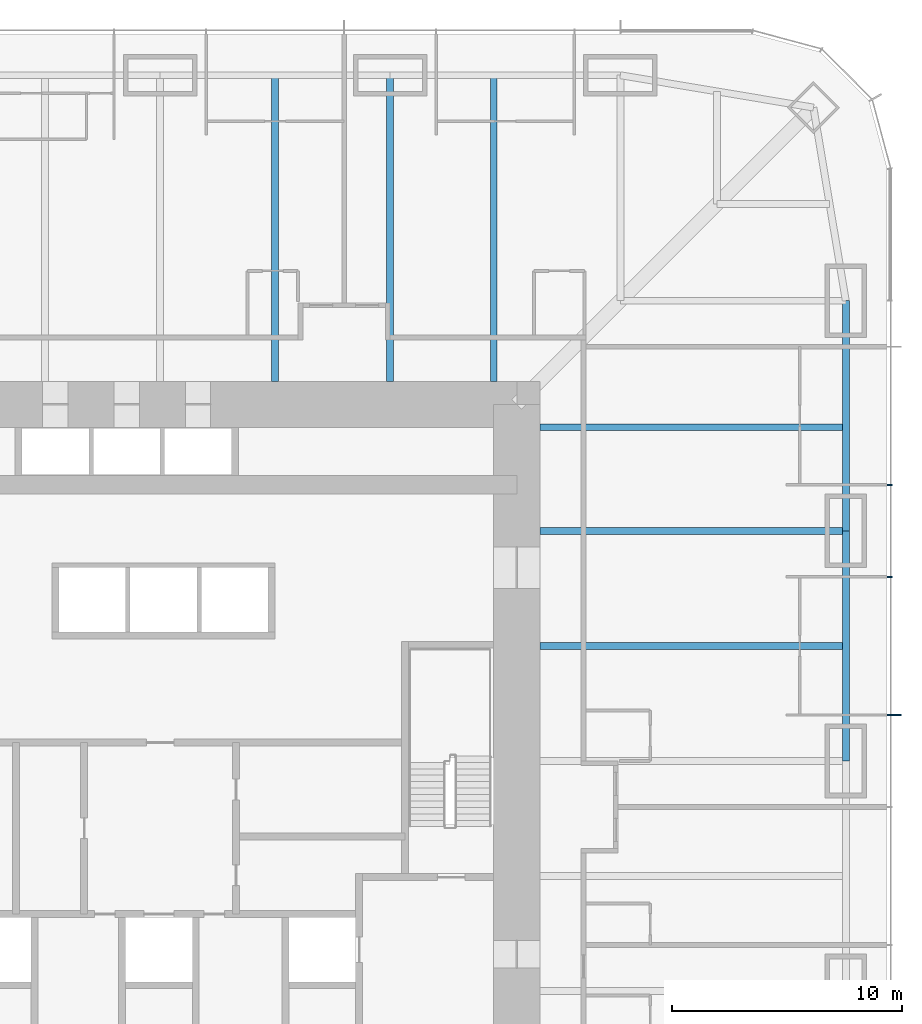
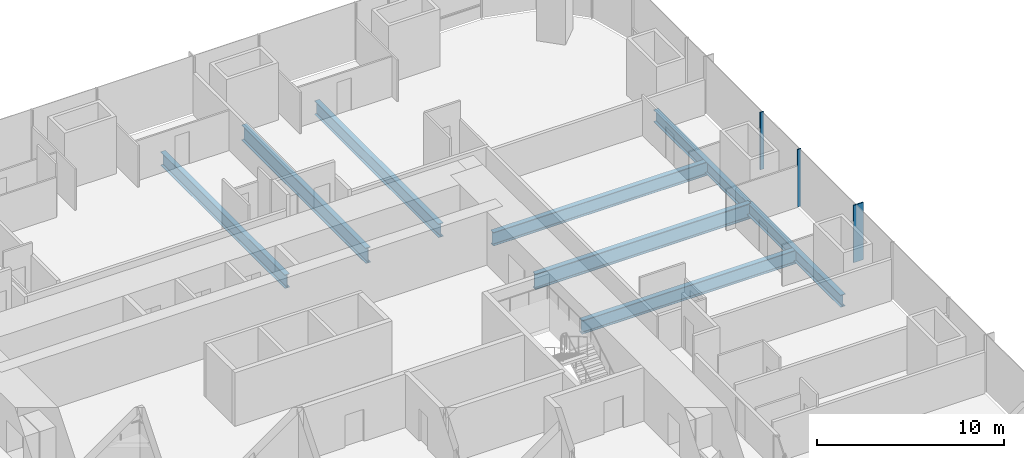
# One storey, part 8 of 17: 8 beams, 3 members, 1 element without a shape of its own.
"""IFC4 building model written with IfcOpenShell, lengths in metres."""

import ifcopenshell
import ifcopenshell.guid

model = None  # the IFC model being written
_history = None  # IfcOwnerHistory: only IFC2X3 demands one
_inside = {}  # id of a spatial element -> (the spatial element, [elements in it])
_under = {}  # id of a project, library or spatial element -> (it, [spatial elements below it])
_declared = {}  # id of a project -> (the project, [libraries it declares])
_typed = {}  # id of a type object -> (the type object, [elements of that type])
_made_of = {}  # id of a material, layer set ... -> (it, [elements and type objects made of it])


def new_model(schema):
    """Start an empty IFC model of exactly this schema.

    Asked for "IFC4X3", IfcOpenShell would pick the latest addendum, in which some entities
    have other attributes; the version numbers below select the first issue.
    IFC2X3 requires an IfcOwnerHistory on every rooted entity: one is made here for all.
    """
    global model, _history
    if schema == "IFC4X3":
        model = ifcopenshell.file(schema_version=(4, 3, 0, 0))
    else:
        model = ifcopenshell.file(schema=schema)
    _inside.clear()
    _under.clear()
    _declared.clear()
    _typed.clear()
    _made_of.clear()
    _history = None
    if model.schema == "IFC2X3":
        org = make("IfcOrganization", Name="unknown")
        user = make(
            "IfcPersonAndOrganization",
            ThePerson=make("IfcPerson", FamilyName="unknown"),
            TheOrganization=org,
        )
        app = make(
            "IfcApplication",
            ApplicationDeveloper=org,
            Version="unknown",
            ApplicationFullName="unknown",
            ApplicationIdentifier="unknown",
        )
        _history = make(
            "IfcOwnerHistory",
            OwningUser=user,
            OwningApplication=app,
            ChangeAction="ADDED",
            CreationDate=0,
        )
    return model


def make(cls, **values):
    """One entity of the class cls with the attributes given. An attribute that is None is left unset."""
    return model.create_entity(
        cls, **{name: value for name, value in values.items() if value is not None}
    )


def rooted(cls, **values):
    """An entity with a GlobalId (a new one), such as an element, a storey or a relation."""
    return make(cls, GlobalId=ifcopenshell.guid.new(), OwnerHistory=_history, **values)


def si_unit(unit_type, name, prefix=None):
    """IfcSIUnit, for example si_unit("LENGTHUNIT", "METRE", prefix="MILLI")."""
    return make("IfcSIUnit", UnitType=unit_type, Prefix=prefix, Name=name)


def assignment(units):
    """IfcUnitAssignment: the units of a project."""
    return None if units is None else make("IfcUnitAssignment", Units=units)


def point(xyz):
    """IfcCartesianPoint."""
    return None if xyz is None else make("IfcCartesianPoint", Coordinates=xyz)


def direction(xyz):
    """IfcDirection."""
    return None if xyz is None else make("IfcDirection", DirectionRatios=xyz)


def frame(location, z_axis=None, x_axis=None):
    """IfcAxis2Placement3D, a coordinate frame: its origin and axes. An axis left out is left unset."""
    return make(
        "IfcAxis2Placement3D",
        Location=point(location),
        Axis=direction(z_axis),
        RefDirection=direction(x_axis),
    )


def frame_2d(location, x_axis=None):
    """IfcAxis2Placement2D, a coordinate frame in the plane: its origin and x axis."""
    return make(
        "IfcAxis2Placement2D", Location=point(location), RefDirection=direction(x_axis)
    )


def origin():
    """The frame at (0, 0, 0) with its axes left unset."""
    return frame((0.0, 0.0, 0.0))


def origin_2d():
    """The frame at (0, 0) in the plane with its x axis left unset."""
    return frame_2d((0.0, 0.0))


def place(relative_to, where):
    """IfcLocalPlacement: puts the frame where relative to a parent placement (None: the world)."""
    return make(
        "IfcLocalPlacement", PlacementRelTo=relative_to, RelativePlacement=where
    )


def context(
    kind, dimensions, precision=None, world=None, true_north=None, identifier=None
):
    """IfcGeometricRepresentationContext, for example the 3D "Model" context."""
    return make(
        "IfcGeometricRepresentationContext",
        ContextIdentifier=identifier,
        ContextType=kind,
        CoordinateSpaceDimension=dimensions,
        Precision=precision,
        WorldCoordinateSystem=world,
        TrueNorth=true_north,
    )


def subcontext(parent, identifier, kind, view, scale=None):
    """IfcGeometricRepresentationSubContext, for example "Body" below "Model"."""
    return make(
        "IfcGeometricRepresentationSubContext",
        ContextIdentifier=identifier,
        ContextType=kind,
        ParentContext=parent,
        TargetScale=scale,
        TargetView=view,
    )


def project(units=None, contexts=None):
    """IfcProject with its units and contexts."""
    return rooted(
        "IfcProject",
        Name="project",
        RepresentationContexts=contexts,
        UnitsInContext=assignment(units),
    )


def spatial(cls, under=None, at=None, **own):
    """A site, building, storey or space (cls), placed at a placement, below another one or the project."""
    s = rooted(cls, ObjectPlacement=at, **own)
    if under is not None:
        _under.setdefault(under.id(), (under, []))[1].append(s)
    return s


def profile(cls, at=None, kind="AREA", **sizes):
    """A parametric profile (cls). Its sizes go by their IFC names, for example OverallWidth=200.0."""
    return make(cls, ProfileType=kind, Position=at, **sizes)


def rectangle(**sizes):
    """IfcRectangleProfileDef."""
    return profile("IfcRectangleProfileDef", **sizes)


def i_section(**sizes):
    """IfcIShapeProfileDef."""
    return profile("IfcIShapeProfileDef", **sizes)


def extrude(swept, where, along, depth):
    """IfcExtrudedAreaSolid: the profile swept, set in the frame where, extruded along a direction by depth."""
    return make(
        "IfcExtrudedAreaSolid",
        SweptArea=swept,
        Position=where,
        ExtrudedDirection=direction(along),
        Depth=depth,
    )


def shape(context_of_items, identifier, shape_type, items):
    """IfcShapeRepresentation: the items that make up one representation, for example the "Body"."""
    return make(
        "IfcShapeRepresentation",
        ContextOfItems=context_of_items,
        RepresentationIdentifier=identifier,
        RepresentationType=shape_type,
        Items=items,
    )


def material(Name=None, Category=None):
    """IfcMaterial."""
    return make("IfcMaterial", Name=Name, Category=Category)


def material_profile(
    of_material, cross_section, Name=None, Category=None, Priority=None
):
    """IfcMaterialProfile: a cross section and its material."""
    return make(
        "IfcMaterialProfile",
        Name=Name,
        Material=of_material,
        Profile=cross_section,
        Priority=Priority,
        Category=Category,
    )


def profile_set(profiles, Name=None, composite=None):
    """IfcMaterialProfileSet."""
    return make(
        "IfcMaterialProfileSet",
        Name=Name,
        MaterialProfiles=profiles,
        CompositeProfile=composite,
    )


def made_of(thing, what):
    """Note that an element or type object is made of a material, layer set ...; save() writes the relation."""
    if what is not None:
        _made_of.setdefault(what.id(), (what, []))[1].append(thing)
    return thing


def type_object(cls, material=None, **own):
    """A type object (cls), such as IfcWallType, which elements share."""
    return made_of(rooted(cls, **own), material)


def element(
    cls,
    number,
    at=None,
    inside=None,
    cuts=None,
    type_object=None,
    material=None,
    context=None,
    identifier="Body",
    shape_type=None,
    held_by="IfcProductDefinitionShape",
    body=None,
    shapes=None,
    **own,
):
    """One element of the class cls, such as IfcWall. Its Tag is "e" and its number.

    at: its placement. inside: the storey or other place that contains it. cuts: it is an
    opening in that element (IfcRelVoidsElement). A single representation is given by context,
    identifier, shape_type and body (its items); several are given by shapes. held_by: the class
    of the entity that holds the representations. save() writes the other relations.
    """
    e = rooted(cls, Tag="e%d" % number, ObjectPlacement=at, **own)
    if body is not None:
        shapes = [shape(context, identifier, shape_type, body)]
    if shapes is not None:
        e.Representation = make(held_by, Representations=shapes)
    if inside is not None:
        _inside.setdefault(inside.id(), (inside, []))[1].append(e)
    if cuts is not None:
        rooted(
            "IfcRelVoidsElement", RelatingBuildingElement=cuts, RelatedOpeningElement=e
        )
    if type_object is not None:
        _typed.setdefault(type_object.id(), (type_object, []))[1].append(e)
    return made_of(e, material)


def aggregate(whole, parts):
    """IfcRelAggregates: a whole, such as a stair, and the parts it consists of."""
    return rooted("IfcRelAggregates", RelatingObject=whole, RelatedObjects=parts)


def save(model, path):
    """Write the relations noted so far, then the file.

    IfcRelAggregates (storeys below a building ...), IfcRelContainedInSpatialStructure (elements
    in a storey), IfcRelDefinesByType, IfcRelAssociatesMaterial and IfcRelDeclares: one each for
    every whole, place, type object, material and project.
    """
    for whole, parts in _under.values():
        aggregate(whole, parts)
    for where, things in _inside.values():
        rooted(
            "IfcRelContainedInSpatialStructure",
            RelatedElements=things,
            RelatingStructure=where,
        )
    for kind, things in _typed.values():
        rooted("IfcRelDefinesByType", RelatedObjects=things, RelatingType=kind)
    for what, things in _made_of.values():
        rooted("IfcRelAssociatesMaterial", RelatedObjects=things, RelatingMaterial=what)
    for by, libraries in _declared.values():
        rooted("IfcRelDeclares", RelatingContext=by, RelatedDefinitions=libraries)
    model.write(path)


model = new_model("IFC4")

# Units and contexts
model_context = context("Model", 3, precision=1e-05, world=origin(), true_north=direction((0.0, 1.0)))
body_context = subcontext(model_context, "Body", "Model", "MODEL_VIEW")
ifc_project = project(units=[si_unit("LENGTHUNIT", "METRE"), si_unit("AREAUNIT", "SQUARE_METRE"), si_unit("VOLUMEUNIT", "CUBIC_METRE"), si_unit("PLANEANGLEUNIT", "RADIAN"), si_unit("MASSUNIT", "GRAM", prefix="KILO")], contexts=[model_context])

# Site, building, storey
site_placement = place(None, origin())
site = spatial("IfcSite", under=ifc_project, at=site_placement, CompositionType="ELEMENT")
building_placement = place(site_placement, origin())
building = spatial("IfcBuilding", under=site, at=building_placement, Name="Khuree Lantern Residences", CompositionType="ELEMENT")
storey_placement = place(building_placement, frame((0.0, 0.0, 39.75)))
storey = spatial("IfcBuildingStorey", under=building, at=storey_placement, Name="L09", CompositionType="ELEMENT", Elevation=39.75)

# Beams
ifc_material_1 = material(Name="Steel S355", Category="steel")
ifc_material_profile_1 = material_profile(ifc_material_1, i_section(OverallWidth=0.300048828125, OverallDepth=0.889892578125, WebThickness=0.01611328125, FlangeThickness=0.030029296875, FilletRadius=0.030029296875, at=origin_2d()), Name="HE 900 A")
ifc_profile_set_1 = profile_set([ifc_material_profile_1], Name="Steel S355")
beam_type_1 = type_object("IfcBeamType", Name="B-12 SECONDARY BEAM HE 900 A", PredefinedType="BEAM", material=ifc_profile_set_1)
for number, where, z_axis, x_axis, name in (
    (1, (5.0, 29.800048828125, -0.695068359375), (0.0, -1.0, 0.0), (1.0, 0.0, 0.0), "Secondary beam N3"),
    (2, (14.5, 29.800048828125, -0.695068359375), (0.0, -1.0, 0.0), (1.0, 0.0, 0.0), "Secondary beam N4"),
    (3, (29.800048828125, 14.5, -0.695068359375), (-1.0, 0.0, 0.0), (0.0, -1.0, 0.0), "Secondary beam E2"),
    (4, (29.800048828125, 5.0, -0.695068359375), (-1.0, 0.0, 0.0), (0.0, -1.0, 0.0), "Secondary beam E3"),
):
    element("IfcBeam", number, at=place(storey_placement, frame(where, z_axis=z_axis, x_axis=x_axis)), inside=storey, type_object=beam_type_1, Name=name, PredefinedType="BEAM", context=body_context, shape_type="SweptSolid", body=[
        extrude(i_section(OverallWidth=0.300048828125, OverallDepth=0.889892578125, WebThickness=0.01611328125, FlangeThickness=0.030029296875, FilletRadius=0.030029296875, at=origin_2d()), origin(), (0.0, 0.0, 1.0), 13.300048828125),
    ])
ifc_material_profile_2 = material_profile(ifc_material_1, i_section(OverallWidth=0.300048828125, OverallDepth=0.7900390625, WebThickness=0.014892578125, FlangeThickness=0.028076171875, FilletRadius=0.030029296875, at=origin_2d()), Name="HE 800 A")
ifc_profile_set_2 = profile_set([ifc_material_profile_2], Name="Steel S355")
beam_type_2 = type_object("IfcBeamType", Name="E-12 SPANDREL BEAM HE 800 A", PredefinedType="SPANDREL", material=ifc_profile_set_2)
for number, where, z_axis, x_axis, name in (
    (5, (29.800048828125, 20.0, -0.64501953125), (0.0, -1.0, 0.0), (1.0, 0.0, 0.0), "Spandrel beam E2"),
    (6, (29.800048828125, 10.0, -0.64501953125), (0.0, -1.0, 0.0), (1.0, 0.0, 0.0), "Spandrel beam E3"),
):
    element("IfcBeam", number, at=place(storey_placement, frame(where, z_axis=z_axis, x_axis=x_axis)), inside=storey, type_object=beam_type_2, Name=name, PredefinedType="SPANDREL", context=body_context, shape_type="SweptSolid", body=[
        extrude(i_section(OverallWidth=0.300048828125, OverallDepth=0.7900390625, WebThickness=0.014892578125, FlangeThickness=0.028076171875, FilletRadius=0.030029296875, at=origin_2d()), origin(), (0.0, 0.0, 1.0), 10.0),
    ])

# Curtain wall, member
ifc_material_2 = material(Name="Bronze anodised aluminium", Category="aluminium")
curtain_wall_type = type_object("IfcCurtainWallType", Name="CW-T1 TOWER FACE CURTAIN WALL", PredefinedType="USERDEFINED", material=ifc_material_2)
curtain_wall_placement = place(storey_placement, origin())
curtain_wall = element("IfcCurtainWall", 7, at=curtain_wall_placement, inside=storey, type_object=curtain_wall_type, Name="L09 EAST FACE CURTAIN WALL", ObjectType="Stick-built curtain wall", PredefinedType="USERDEFINED")
ifc_material_profile_3 = material_profile(ifc_material_2, rectangle(XDim=0.06494140625, YDim=0.60009765625, at=origin_2d()), Name="F1 65X600")
ifc_profile_set_3 = profile_set([ifc_material_profile_3], Name="Bronze anodised aluminium")
member_type_1 = type_object("IfcMemberType", Name="F1 BRONZE FIN MULLION TOWER 65X600", PredefinedType="MULLION", material=ifc_profile_set_3)
member_1_placement = place(storey_placement, frame((31.89990234375, 2.0, 0.0), z_axis=(0.0, 0.0, 1.0), x_axis=(0.0, 1.0, 0.0)))
member_1 = element("IfcMember", 8, at=member_1_placement, type_object=member_type_1, Name="L09 EAST FACE FIN MULLION 10", PredefinedType="MULLION", context=body_context, shape_type="SweptSolid", body=[
    extrude(rectangle(XDim=0.06494140625, YDim=0.60009765625, at=origin_2d()), origin(), (0.0, 0.0, 1.0), 3.75),
])

# Beams
ifc_material_profile_4 = material_profile(ifc_material_1, i_section(OverallWidth=0.302001953125, OverallDepth=1.008056640625, WebThickness=0.02099609375, FlangeThickness=0.0400390625, FilletRadius=0.030029296875, at=origin_2d()), Name="HE 1000 M")
ifc_profile_set_4 = profile_set([ifc_material_profile_4], Name="Steel S355")
beam_type_3 = type_object("IfcBeamType", Name="G-12 GIRDER HE 1000 M", PredefinedType="BEAM", material=ifc_profile_set_4)
for number, where, z_axis, x_axis, name in (
    (9, (10.0, 29.800048828125, -0.75390625), (0.0, -1.0, 0.0), (1.0, 0.0, 0.0), "Girder N4"),
    (10, (29.800048828125, 10.0, -0.75390625), (-1.0, 0.0, 0.0), (0.0, -1.0, 0.0), "Girder E2"),
):
    element("IfcBeam", number, at=place(storey_placement, frame(where, z_axis=z_axis, x_axis=x_axis)), inside=storey, type_object=beam_type_3, Name=name, PredefinedType="BEAM", context=body_context, shape_type="SweptSolid", body=[
        extrude(i_section(OverallWidth=0.302001953125, OverallDepth=1.008056640625, WebThickness=0.02099609375, FlangeThickness=0.0400390625, FilletRadius=0.030029296875, at=origin_2d()), origin(), (0.0, 0.0, 1.0), 13.300048828125),
    ])

# Member
ifc_material_profile_5 = material_profile(ifc_material_2, rectangle(XDim=0.06494140625, YDim=0.219970703125, at=origin_2d()), Name="M1 65X220")
ifc_profile_set_5 = profile_set([ifc_material_profile_5], Name="Bronze anodised aluminium")
member_type_2 = type_object("IfcMemberType", Name="M1 BRONZE MULLION TOWER 65X220", PredefinedType="MULLION", material=ifc_profile_set_5)
member_2_placement = place(storey_placement, frame((31.7099609375, 8.0, 0.0), z_axis=(0.0, 0.0, 1.0), x_axis=(0.0, 1.0, 0.0)))
member_2 = element("IfcMember", 11, at=member_2_placement, type_object=member_type_2, Name="L09 EAST FACE MULLION 11", PredefinedType="MULLION", context=body_context, shape_type="SweptSolid", body=[
    extrude(rectangle(XDim=0.06494140625, YDim=0.219970703125, at=origin_2d()), origin(), (0.0, 0.0, 1.0), 3.75),
])

member_3_placement = place(storey_placement, frame((31.7099609375, 12.0, 0.0), z_axis=(0.0, 0.0, 1.0), x_axis=(0.0, 1.0, 0.0)))
member_3 = element("IfcMember", 12, at=member_3_placement, type_object=member_type_2, Name="L09 EAST FACE MULLION 12", PredefinedType="MULLION", context=body_context, shape_type="SweptSolid", body=[
    extrude(rectangle(XDim=0.06494140625, YDim=0.219970703125, at=origin_2d()), origin(), (0.0, 0.0, 1.0), 3.75),
])

aggregate(curtain_wall, [member_1, member_2, member_3])

save(model, "model.ifc")
